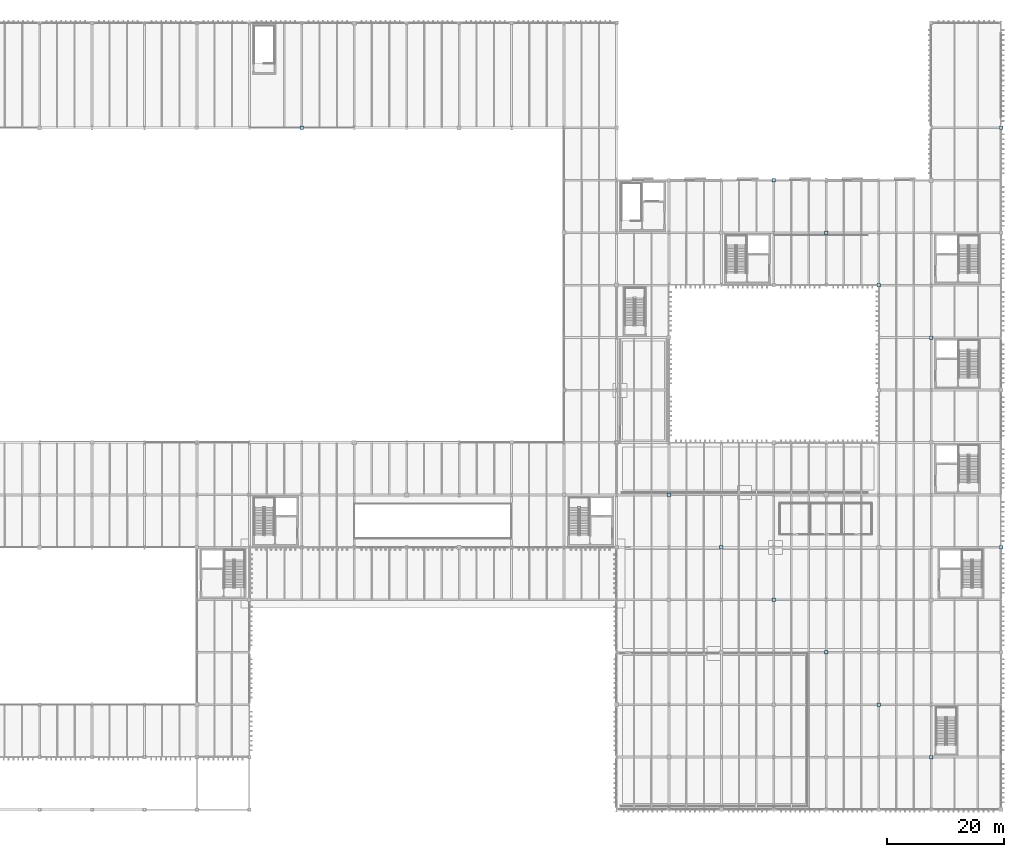
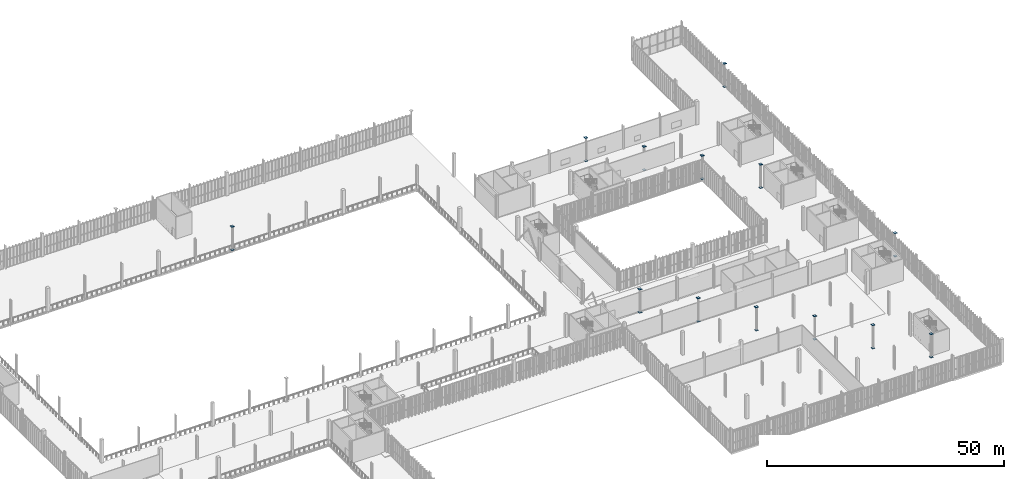
# One storey, part 174 of 211: 26 plates.
"""IFC4 building model written with IfcOpenShell, lengths in metres."""

from ifc_helpers import new_model, si_unit, direction, frame, origin, origin_2d, place, context, subcontext, project, spatial, rectangle, extrude, material, layer, layer_set, type_object, element, save


model = new_model("IFC4")

# Units and contexts
model_context = context("Model", 3, precision=1e-05, world=origin(), true_north=direction((0.0, 1.0)))
body_context = subcontext(model_context, "Body", "Model", "MODEL_VIEW")
ifc_project = project(units=[si_unit("LENGTHUNIT", "METRE"), si_unit("AREAUNIT", "SQUARE_METRE"), si_unit("VOLUMEUNIT", "CUBIC_METRE"), si_unit("PLANEANGLEUNIT", "RADIAN"), si_unit("MASSUNIT", "GRAM", prefix="KILO")], contexts=[model_context])

# Site, building, storey
site_placement = place(None, origin())
site = spatial("IfcSite", under=ifc_project, at=site_placement, CompositionType="ELEMENT")
building_placement = place(site_placement, origin())
building = spatial("IfcBuilding", under=site, at=building_placement, Name="Barlavento Convention Centre", CompositionType="ELEMENT")
storey_placement = place(building_placement, frame((0.0, 0.0, 6.0)))
storey = spatial("IfcBuildingStorey", under=building, at=storey_placement, Name="L01", CompositionType="ELEMENT", Elevation=6.0)

# Plates
ifc_material = material(Name="Steel S355", Category="steel")
ifc_layer = layer(ifc_material, 0.06005859375)
ifc_layer_set = layer_set([ifc_layer], Name="STR-PLT-CAP-620")
plate_type = type_object("IfcPlateType", Name="STR-PLT-CAP-620", PredefinedType="SHEET", material=ifc_layer_set)
for number, where, z_axis, x_axis, name in (
    (1, (72.0, 117.0, 5.969970703125), (0.0, 0.0, 1.0), (1.0, 0.0, 0.0), "Hollow column sealing end-cap plate EC04"),
    (2, (72.0, 117.0, -0.030029296875), (0.0, 0.0, 1.0), (1.0, 0.0, 0.0), "Hollow column sealing end-cap plate EC04"),
    (3, (135.0, 54.0, 5.969970703125), (0.0, 0.0, 1.0), (1.0, 0.0, 0.0), "Hollow column sealing end-cap plate EC04"),
    (4, (135.0, 54.0, -0.030029296875), (0.0, 0.0, 1.0), (1.0, 0.0, 0.0), "Hollow column sealing end-cap plate EC04"),
    (5, (144.0, 45.0, 5.969970703125), (0.0, 0.0, 1.0), (1.0, 0.0, 0.0), "Hollow column sealing end-cap plate EC04"),
    (6, (144.0, 45.0, -0.030029296875), (0.0, 0.0, 1.0), (1.0, 0.0, 0.0), "Hollow column sealing end-cap plate EC04"),
    (7, (153.0, 36.0, 5.969970703125), (0.0, 0.0, 1.0), (1.0, 0.0, 0.0), "Hollow column sealing end-cap plate EC04"),
    (8, (153.0, 36.0, -0.030029296875), (0.0, 0.0, 1.0), (1.0, 0.0, 0.0), "Hollow column sealing end-cap plate EC04"),
    (9, (153.0, 108.0, 5.969970703125), (0.0, 0.0, 1.0), (1.0, 0.0, 0.0), "Hollow column sealing end-cap plate EC04"),
    (10, (153.0, 108.0, -0.030029296875), (0.0, 0.0, 1.0), (1.0, 0.0, 0.0), "Hollow column sealing end-cap plate EC04"),
    (11, (162.0, 27.0, 5.969970703125), (0.0, 0.0, 1.0), (1.0, 0.0, 0.0), "Hollow column sealing end-cap plate EC04"),
    (12, (162.0, 27.0, -0.030029296875), (0.0, 0.0, 1.0), (1.0, 0.0, 0.0), "Hollow column sealing end-cap plate EC04"),
    (13, (162.0, 99.0, 5.969970703125), (0.0, 0.0, 1.0), (1.0, 0.0, 0.0), "Hollow column sealing end-cap plate EC04"),
    (14, (162.0, 99.0, -0.030029296875), (0.0, 0.0, 1.0), (1.0, 0.0, 0.0), "Hollow column sealing end-cap plate EC04"),
    (15, (171.0, 18.0, 5.969970703125), (0.0, 0.0, 1.0), (1.0, 0.0, 0.0), "Hollow column sealing end-cap plate EC04"),
    (16, (171.0, 18.0, -0.030029296875), (0.0, 0.0, 1.0), (1.0, 0.0, 0.0), "Hollow column sealing end-cap plate EC04"),
    (17, (171.0, 90.0, 5.969970703125), (0.0, 0.0, 1.0), (1.0, 0.0, 0.0), "Hollow column sealing end-cap plate EC04"),
    (18, (171.0, 90.0, -0.030029296875), (0.0, 0.0, 1.0), (1.0, 0.0, 0.0), "Hollow column sealing end-cap plate EC04"),
    (19, (180.0, 9.0, 5.969970703125), (0.0, 0.0, 1.0), (1.0, 0.0, 0.0), "Hollow column sealing end-cap plate EC04"),
    (20, (180.0, 9.0, -0.030029296875), (0.0, 0.0, 1.0), (1.0, 0.0, 0.0), "Hollow column sealing end-cap plate EC04"),
    (21, (180.0, 81.0, 5.969970703125), (0.0, 0.0, 1.0), (1.0, 0.0, 0.0), "Hollow column sealing end-cap plate EC04"),
    (22, (180.0, 81.0, -0.030029296875), (0.0, 0.0, 1.0), (1.0, 0.0, 0.0), "Hollow column sealing end-cap plate EC04"),
    (23, (192.0, 45.0, 5.969970703125), (0.0, 0.0, 1.0), (1.0, 0.0, 0.0), "Hollow column sealing end-cap plate EC04"),
    (24, (192.0, 45.0, -0.030029296875), (0.0, 0.0, 1.0), (1.0, 0.0, 0.0), "Hollow column sealing end-cap plate EC04"),
    (25, (192.0, 117.0, 5.969970703125), (0.0, 0.0, 1.0), (1.0, 0.0, 0.0), "Hollow column sealing end-cap plate EC04"),
    (26, (192.0, 117.0, -0.030029296875), (0.0, 0.0, 1.0), (1.0, 0.0, 0.0), "Hollow column sealing end-cap plate EC04"),
):
    element("IfcPlate", number, at=place(storey_placement, frame(where, z_axis=z_axis, x_axis=x_axis)), inside=storey, type_object=plate_type, Name=name, PredefinedType="SHEET", context=body_context, shape_type="SweptSolid", body=[
        extrude(rectangle(XDim=0.6201171875, YDim=0.6201171875, at=origin_2d()), origin(), (0.0, 0.0, 1.0), 0.06005859375),
    ])

save(model, "model.ifc")
